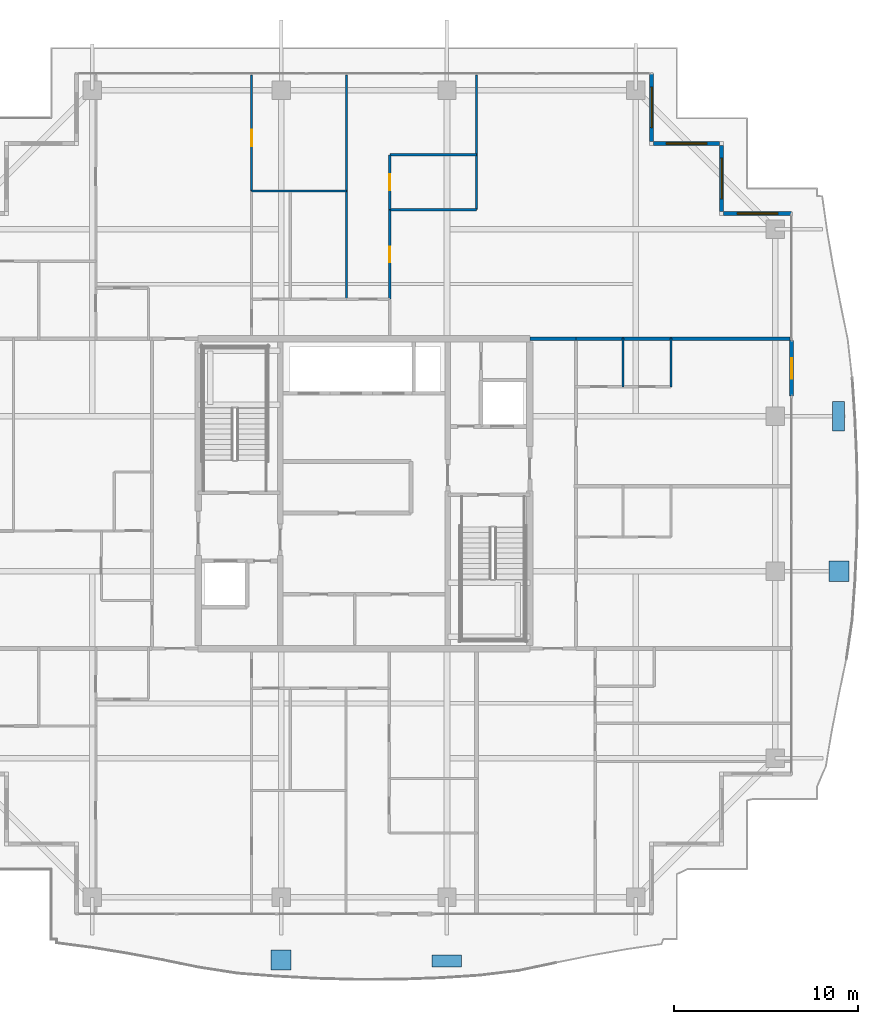
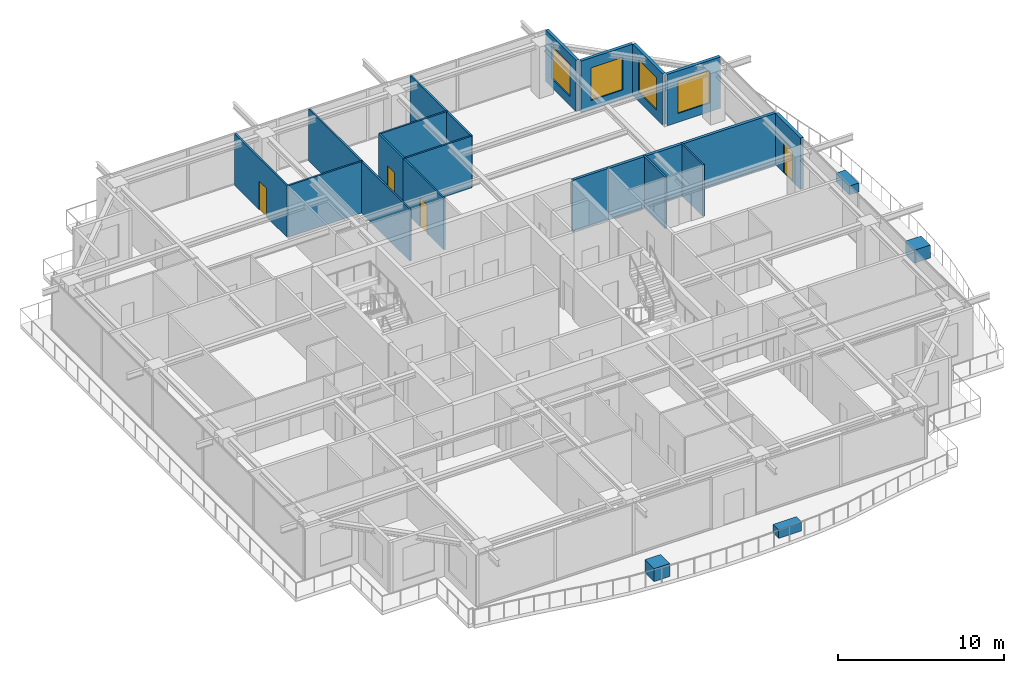
# One storey, part 35 of 42: 17 walls, 4 discrete accessories, 4 doors, 4 windows, 8 openings.
"""IFC4 building model written with IfcOpenShell, lengths in metres."""

from ifc_helpers import new_model, si_unit, direction, frame, frame_2d, origin, origin_2d, place, context, subcontext, project, spatial, rectangle, extrude, source, transform, mapped, material, layer, layer_set, type_object, element, fill, save


model = new_model("IFC4")

# Units and contexts
model_context = context("Model", 3, precision=1e-05, world=origin(), true_north=direction((0.0, 1.0)))
body_context = subcontext(model_context, "Body", "Model", "MODEL_VIEW")
ifc_project = project(units=[si_unit("LENGTHUNIT", "METRE"), si_unit("AREAUNIT", "SQUARE_METRE"), si_unit("VOLUMEUNIT", "CUBIC_METRE"), si_unit("PLANEANGLEUNIT", "RADIAN"), si_unit("MASSUNIT", "GRAM", prefix="KILO")], contexts=[model_context])

# Site, building, storey
site_placement = place(None, origin())
site = spatial("IfcSite", under=ifc_project, at=site_placement, CompositionType="ELEMENT")
building_placement = place(site_placement, origin())
building = spatial("IfcBuilding", under=site, at=building_placement, Name="Serunith Strait Residences", CompositionType="ELEMENT")
storey_placement = place(building_placement, frame((0.0, 0.0, 309.64990234375)))
storey = spatial("IfcBuildingStorey", under=building, at=storey_placement, Name="L77", CompositionType="ELEMENT", Elevation=309.64990234375)

# Wall, opening, door
ifc_material_1 = material(Name="Pale-Champagne Aluminium Insulated Panel", Category="aluminium")
ifc_layer_1 = layer(ifc_material_1, 0.219970703125, Name="Pale-Champagne Aluminium Insulated Panel")
ifc_layer_set_1 = layer_set([ifc_layer_1], Name="Pale-Champagne Aluminium Insulated Panel")
wall_type_1 = type_object("IfcWallType", Name="EW-ALUM-220", PredefinedType="ELEMENTEDWALL", material=ifc_layer_set_1)
wall_1_placement = place(storey_placement, frame((55.60009765625, 30.5, 0.0), z_axis=(0.0, 0.0, 1.0), x_axis=(0.0, 1.0, 0.0)))
wall_1 = element("IfcWall", 1, at=wall_1_placement, inside=storey, type_object=wall_type_1, Name="L77 E Facade Pier Wall", PredefinedType="ELEMENTEDWALL", context=body_context, shape_type="SweptSolid", body=[
    extrude(rectangle(XDim=3.0, YDim=0.219970703125, at=frame_2d((1.5, 0.0))), origin(), (0.0, 0.0, 1.0), 3.775146484375),
])
opening_1_placement = place(wall_1_placement, frame((0.949951171875, 0.0, 0.0)))
opening_1 = element("IfcOpeningElement", 2, at=opening_1_placement, cuts=wall_1, Name="Opening ED-03", PredefinedType="OPENING", context=body_context, shape_type="SweptSolid", body=[
    extrude(rectangle(XDim=1.10009765625, YDim=2.199951171875, at=frame_2d((0.550048828125, 1.10009765625))), frame((0.0, 0.1201171875, 0.0), z_axis=(0.0, -1.0, 0.0), x_axis=(1.0, 0.0, 0.0)), (0.0, 0.0, 1.0), 0.239990234375),
])
ifc_material_2 = material(Name="Thermally-Broken Aluminium Glazed Balcony Door", Category="aluminium")
door_type_1 = type_object("IfcDoorType", Name="ED-BALC-1100", OperationType="NOTDEFINED", PredefinedType="DOOR", material=ifc_material_2)
shared_shape_1 = source(origin(), body_context, "Body", "SweptSolid", [
    extrude(rectangle(XDim=1.10009765625, YDim=2.199951171875, at=frame_2d((0.550048828125, 1.10009765625))), frame((0.0, 0.02490234375, 0.0), z_axis=(0.0, -1.0, 0.0), x_axis=(1.0, 0.0, 0.0)), (0.0, 0.0, 1.0), 0.050048828125),
])
door_1_placement = place(opening_1_placement, origin())
door_1 = element("IfcDoor", 3, at=door_1_placement, inside=storey, type_object=door_type_1, Name="L77 E Vertical-Forest Balcony Door", OperationType="SINGLE_SWING_RIGHT", OverallHeight=2.199951171875, OverallWidth=1.10009765625, PredefinedType="DOOR", context=body_context, shape_type="MappedRepresentation", body=[
    mapped(shared_shape_1, transform((0.0, 0.0, 0.0), scale=1.0)),
])
fill(opening_1, door_1)

# Wall, opening, window
wall_2_placement = place(storey_placement, frame((55.60009765625, 40.39990234375, 0.0), z_axis=(0.0, 0.0, 1.0), x_axis=(-1.0, 0.0, 0.0)))
wall_2 = element("IfcWall", 4, at=wall_2_placement, inside=storey, type_object=wall_type_1, Name="L77 Girih Serrated Corner Wall 07", PredefinedType="ELEMENTEDWALL", context=body_context, shape_type="SweptSolid", body=[
    extrude(rectangle(XDim=3.690185546875, YDim=0.219970703125, at=frame_2d((1.84521484375, 0.0))), origin(), (0.0, 0.0, 1.0), 3.775146484375),
])
opening_2_placement = place(wall_2_placement, frame((0.7451171875, 0.0, 0.64990234375)))
opening_2 = element("IfcOpeningElement", 5, at=opening_2_placement, cuts=wall_2, Name="Opening W-06", PredefinedType="OPENING", context=body_context, shape_type="SweptSolid", body=[
    extrude(rectangle(XDim=2.199951171875, YDim=2.39990234375, at=frame_2d((1.10009765625, 1.199951171875))), frame((0.0, 0.1201171875, 0.0), z_axis=(0.0, -1.0, 0.0), x_axis=(1.0, 0.0, 0.0)), (0.0, 0.0, 1.0), 0.239990234375),
])
ifc_material_3 = material(Name="Crown Penthouse Low-E Operable Window Glass", Category="glass")
window_type = type_object("IfcWindowType", Name="WIN-C6", PartitioningType="TRIPLE_PANEL_VERTICAL", PredefinedType="WINDOW", material=ifc_material_3)
shared_shape_2 = source(origin(), body_context, "Body", "SweptSolid", [
    extrude(rectangle(XDim=2.199951171875, YDim=2.39990234375, at=frame_2d((1.10009765625, 1.199951171875))), frame((0.0, 0.030029296875, 0.0), z_axis=(0.0, -1.0, 0.0), x_axis=(1.0, 0.0, 0.0)), (0.0, 0.0, 1.0), 0.06005859375),
])
window_1_placement = place(opening_2_placement, origin())
window_1 = element("IfcWindow", 6, at=window_1_placement, inside=storey, type_object=window_type, Name="L77 Corner Operable Fritted Window 07", OverallHeight=2.39990234375, OverallWidth=2.199951171875, PartitioningType="SINGLE_PANEL", PredefinedType="WINDOW", context=body_context, shape_type="MappedRepresentation", body=[
    mapped(shared_shape_2, transform((0.0, 0.0, 0.0), scale=1.0)),
])
fill(opening_2, window_1)

wall_3_placement = place(storey_placement, frame((51.800048828125, 40.510009765625, 0.0), z_axis=(0.0, 0.0, 1.0), x_axis=(0.0, 1.0, 0.0)))
wall_3 = element("IfcWall", 7, at=wall_3_placement, inside=storey, type_object=wall_type_1, Name="L77 Girih Serrated Corner Wall 08", PredefinedType="ELEMENTEDWALL", context=body_context, shape_type="SweptSolid", body=[
    extrude(rectangle(XDim=3.580078125, YDim=0.219970703125, at=frame_2d((1.7900390625, 0.0))), origin(), (0.0, 0.0, 1.0), 3.775146484375),
])
opening_3_placement = place(wall_3_placement, frame((0.68994140625, 0.0, 0.64990234375)))
opening_3 = element("IfcOpeningElement", 8, at=opening_3_placement, cuts=wall_3, Name="Opening W-06", PredefinedType="OPENING", context=body_context, shape_type="SweptSolid", body=[
    extrude(rectangle(XDim=2.199951171875, YDim=2.39990234375, at=frame_2d((1.10009765625, 1.199951171875))), frame((0.0, 0.1201171875, 0.0), z_axis=(0.0, -1.0, 0.0), x_axis=(1.0, 0.0, 0.0)), (0.0, 0.0, 1.0), 0.239990234375),
])
window_2_placement = place(opening_3_placement, origin())
window_2 = element("IfcWindow", 9, at=window_2_placement, inside=storey, type_object=window_type, Name="L77 Corner Operable Fritted Window 08", OverallHeight=2.39990234375, OverallWidth=2.199951171875, PartitioningType="SINGLE_PANEL", PredefinedType="WINDOW", context=body_context, shape_type="MappedRepresentation", body=[
    mapped(shared_shape_2, transform((0.0, 0.0, 0.0), scale=1.0)),
])
fill(opening_3, window_2)

wall_4_placement = place(storey_placement, frame((51.68994140625, 44.199951171875, 0.0), z_axis=(0.0, 0.0, 1.0), x_axis=(-1.0, 0.0, 0.0)))
wall_4 = element("IfcWall", 10, at=wall_4_placement, inside=storey, type_object=wall_type_1, Name="L77 Girih Serrated Corner Wall 09", PredefinedType="ELEMENTEDWALL", context=body_context, shape_type="SweptSolid", body=[
    extrude(rectangle(XDim=3.579833984375, YDim=0.219970703125, at=frame_2d((1.7900390625, 0.0))), origin(), (0.0, 0.0, 1.0), 3.775146484375),
])
opening_4_placement = place(wall_4_placement, frame((0.68994140625, 0.0, 0.64990234375)))
opening_4 = element("IfcOpeningElement", 11, at=opening_4_placement, cuts=wall_4, Name="Opening W-06", PredefinedType="OPENING", context=body_context, shape_type="SweptSolid", body=[
    extrude(rectangle(XDim=2.199951171875, YDim=2.39990234375, at=frame_2d((1.10009765625, 1.199951171875))), frame((0.0, 0.1201171875, 0.0), z_axis=(0.0, -1.0, 0.0), x_axis=(1.0, 0.0, 0.0)), (0.0, 0.0, 1.0), 0.239990234375),
])
window_3_placement = place(opening_4_placement, origin())
window_3 = element("IfcWindow", 12, at=window_3_placement, inside=storey, type_object=window_type, Name="L77 Corner Operable Fritted Window 09", OverallHeight=2.39990234375, OverallWidth=2.199951171875, PartitioningType="SINGLE_PANEL", PredefinedType="WINDOW", context=body_context, shape_type="MappedRepresentation", body=[
    mapped(shared_shape_2, transform((0.0, 0.0, 0.0), scale=1.0)),
])
fill(opening_4, window_3)

wall_5_placement = place(storey_placement, frame((48.0, 44.31005859375, 0.0), z_axis=(0.0, 0.0, 1.0), x_axis=(0.0, 1.0, 0.0)))
wall_5 = element("IfcWall", 13, at=wall_5_placement, inside=storey, type_object=wall_type_1, Name="L77 Girih Serrated Corner Wall 10", PredefinedType="ELEMENTEDWALL", context=body_context, shape_type="SweptSolid", body=[
    extrude(rectangle(XDim=3.68994140625, YDim=0.219970703125, at=frame_2d((1.844970703125, 0.0))), origin(), (0.0, 0.0, 1.0), 3.775146484375),
])
opening_5_placement = place(wall_5_placement, frame((0.7451171875, 0.0, 0.64990234375)))
opening_5 = element("IfcOpeningElement", 14, at=opening_5_placement, cuts=wall_5, Name="Opening W-06", PredefinedType="OPENING", context=body_context, shape_type="SweptSolid", body=[
    extrude(rectangle(XDim=2.199951171875, YDim=2.39990234375, at=frame_2d((1.10009765625, 1.199951171875))), frame((0.0, 0.1201171875, 0.0), z_axis=(0.0, -1.0, 0.0), x_axis=(1.0, 0.0, 0.0)), (0.0, 0.0, 1.0), 0.239990234375),
])
window_4_placement = place(opening_5_placement, origin())
window_4 = element("IfcWindow", 15, at=window_4_placement, inside=storey, type_object=window_type, Name="L77 Corner Operable Fritted Window 10", OverallHeight=2.39990234375, OverallWidth=2.199951171875, PartitioningType="SINGLE_PANEL", PredefinedType="WINDOW", context=body_context, shape_type="MappedRepresentation", body=[
    mapped(shared_shape_2, transform((0.0, 0.0, 0.0), scale=1.0)),
])
fill(opening_5, window_4)

# Wall
ifc_material_4 = material(Name="Fire-rated acoustic gypsum partition")
ifc_layer_2 = layer(ifc_material_4, 0.179931640625, Name="Fire-rated acoustic gypsum partition")
ifc_layer_set_2 = layer_set([ifc_layer_2], Name="Fire-rated acoustic gypsum partition")
wall_type_2 = type_object("IfcWallType", Name="IW-CORR-180", PredefinedType="PARTITIONING", material=ifc_layer_set_2)
wall_6_placement = place(storey_placement, frame((41.402099609375, 33.60009765625, 0.0), z_axis=(0.0, 0.0, 1.0), x_axis=(1.0, 0.0, 0.0)))
element("IfcWall", 16, at=wall_6_placement, inside=storey, type_object=wall_type_2, Name="L77 Partition Wall 028", PredefinedType="PARTITIONING", context=body_context, shape_type="SweptSolid", body=[
    extrude(rectangle(XDim=2.495849609375, YDim=0.179931640625, at=frame_2d((1.248046875, 0.0))), origin(), (0.0, 0.0, 1.0), 3.7900390625),
])

# Wall, opening, door
ifc_material_5 = material(Name="Lightweight steel-stud gypsum partition", Category="steel")
ifc_layer_3 = layer(ifc_material_5, 0.1201171875, Name="Lightweight steel-stud gypsum partition")
ifc_layer_set_3 = layer_set([ifc_layer_3], Name="Lightweight steel-stud gypsum partition")
wall_type_3 = type_object("IfcWallType", Name="IW-PART-120", PredefinedType="PARTITIONING", material=ifc_layer_set_3)
wall_7_placement = place(storey_placement, frame((26.300048828125, 47.905029296875, 0.0), z_axis=(0.0, 0.0, 1.0), x_axis=(0.0, -1.0, 0.0)))
wall_7 = element("IfcWall", 17, at=wall_7_placement, inside=storey, type_object=wall_type_3, Name="L77 Partition Wall 067", PredefinedType="PARTITIONING", context=body_context, shape_type="SweptSolid", body=[
    extrude(rectangle(XDim=6.275146484375, YDim=0.1201171875, at=frame_2d((3.1376953125, 0.0))), origin(), (0.0, 0.0, 1.0), 3.7900390625),
])
opening_6_placement = place(wall_7_placement, frame((2.9560546875, 0.0, 0.0)))
opening_6 = element("IfcOpeningElement", 18, at=opening_6_placement, cuts=wall_7, Name="Opening D-RM900", PredefinedType="OPENING", context=body_context, shape_type="SweptSolid", body=[
    extrude(rectangle(XDim=0.89990234375, YDim=2.10009765625, at=frame_2d((0.449951171875, 1.050048828125))), frame((0.0, 0.070068359375, 0.0), z_axis=(0.0, -1.0, 0.0), x_axis=(1.0, 0.0, 0.0)), (0.0, 0.0, 1.0), 0.14013671875),
])
ifc_material_6 = material(Name="Engineered timber flush bedroom door", Category="wood")
door_type_2 = type_object("IfcDoorType", Name="ID-ROOM-900", OperationType="NOTDEFINED", PredefinedType="DOOR", material=ifc_material_6)
shared_shape_3 = source(origin(), body_context, "Body", "SweptSolid", [
    extrude(rectangle(XDim=0.89990234375, YDim=2.10009765625, at=frame_2d((0.449951171875, 1.050048828125))), frame((0.0, 0.02490234375, 0.0), z_axis=(0.0, -1.0, 0.0), x_axis=(1.0, 0.0, 0.0)), (0.0, 0.0, 1.0), 0.050048828125),
])
door_2_placement = place(opening_6_placement, origin())
door_2 = element("IfcDoor", 19, at=door_2_placement, inside=storey, type_object=door_type_2, Name="L77 Formal Dining Room 2 7703 Door", OperationType="SINGLE_SWING_RIGHT", OverallHeight=2.10009765625, OverallWidth=0.89990234375, PredefinedType="DOOR", context=body_context, shape_type="MappedRepresentation", body=[
    mapped(shared_shape_3, transform((0.0, 0.0, 0.0), scale=1.0)),
])
fill(opening_6, door_2)

# Walls
wall_8_placement = place(storey_placement, frame((26.300048828125, 41.6298828125, 0.0), z_axis=(0.0, 0.0, 1.0), x_axis=(1.0, 0.0, 0.0)))
element("IfcWall", 20, at=wall_8_placement, inside=storey, type_object=wall_type_3, Name="L77 Partition Wall 069", PredefinedType="PARTITIONING", context=body_context, shape_type="SweptSolid", body=[
    extrude(rectangle(XDim=5.14990234375, YDim=0.1201171875, at=frame_2d((2.574951171875, 0.0))), origin(), (0.0, 0.0, 1.0), 3.7900390625),
])
wall_9_placement = place(storey_placement, frame((31.449951171875, 47.905029296875, 0.0), z_axis=(0.0, 0.0, 1.0), x_axis=(0.0, -1.0, 0.0)))
element("IfcWall", 21, at=wall_9_placement, inside=storey, type_object=wall_type_3, Name="L77 Partition Wall 070", PredefinedType="PARTITIONING", context=body_context, shape_type="SweptSolid", body=[
    extrude(rectangle(XDim=12.155029296875, YDim=0.1201171875, at=frame_2d((6.07763671875, 0.0))), origin(), (0.0, 0.0, 1.0), 3.7900390625),
])
wall_10_placement = place(storey_placement, frame((33.800048828125, 43.587890625, 0.0), z_axis=(0.0, 0.0, 1.0), x_axis=(1.0, 0.0, 0.0)))
element("IfcWall", 22, at=wall_10_placement, inside=storey, type_object=wall_type_3, Name="L77 Partition Wall 075", PredefinedType="PARTITIONING", context=body_context, shape_type="SweptSolid", body=[
    extrude(rectangle(XDim=4.699951171875, YDim=0.1201171875, at=frame_2d((2.35009765625, 0.0))), origin(), (0.0, 0.0, 1.0), 3.7900390625),
])
wall_11_placement = place(storey_placement, frame((38.5, 47.905029296875, 0.0), z_axis=(0.0, 0.0, 1.0), x_axis=(0.0, -1.0, 0.0)))
element("IfcWall", 23, at=wall_11_placement, inside=storey, type_object=wall_type_3, Name="L77 Partition Wall 076", PredefinedType="PARTITIONING", context=body_context, shape_type="SweptSolid", body=[
    extrude(rectangle(XDim=7.296142578125, YDim=0.1201171875, at=frame_2d((3.64794921875, 0.0))), origin(), (0.0, 0.0, 1.0), 3.7900390625),
])
wall_12_placement = place(storey_placement, frame((33.800048828125, 40.60888671875, 0.0), z_axis=(0.0, 0.0, 1.0), x_axis=(1.0, 0.0, 0.0)))
element("IfcWall", 24, at=wall_12_placement, inside=storey, type_object=wall_type_3, Name="L77 Partition Wall 077", PredefinedType="PARTITIONING", context=body_context, shape_type="SweptSolid", body=[
    extrude(rectangle(XDim=4.699951171875, YDim=0.1201171875, at=frame_2d((2.35009765625, 0.0))), origin(), (0.0, 0.0, 1.0), 3.7900390625),
])

# Wall, opening, door
wall_13_placement = place(storey_placement, frame((33.800048828125, 43.587890625, 0.0), z_axis=(0.0, 0.0, 1.0), x_axis=(0.0, -1.0, 0.0)))
wall_13 = element("IfcWall", 25, at=wall_13_placement, inside=storey, type_object=wall_type_3, Name="L77 Partition Wall 078", PredefinedType="PARTITIONING", context=body_context, shape_type="SweptSolid", body=[
    extrude(rectangle(XDim=2.97900390625, YDim=0.1201171875, at=frame_2d((1.489501953125, 0.0))), origin(), (0.0, 0.0, 1.0), 3.7900390625),
])
opening_7_placement = place(wall_13_placement, frame((1.06396484375, 0.0, 0.0)))
opening_7 = element("IfcOpeningElement", 26, at=opening_7_placement, cuts=wall_13, Name="Opening D-BTH850", PredefinedType="OPENING", context=body_context, shape_type="SweptSolid", body=[
    extrude(rectangle(XDim=0.85009765625, YDim=2.10009765625, at=frame_2d((0.425048828125, 1.050048828125))), frame((0.0, 0.070068359375, 0.0), z_axis=(0.0, -1.0, 0.0), x_axis=(1.0, 0.0, 0.0)), (0.0, 0.0, 1.0), 0.14013671875),
])
ifc_material_7 = material(Name="Moisture-resistant timber bathroom door", Category="wood")
door_type_3 = type_object("IfcDoorType", Name="ID-BATH-850", OperationType="NOTDEFINED", PredefinedType="DOOR", material=ifc_material_7)
shared_shape_4 = source(origin(), body_context, "Body", "SweptSolid", [
    extrude(rectangle(XDim=0.85009765625, YDim=2.10009765625, at=frame_2d((0.425048828125, 1.050048828125))), frame((0.0, 0.02490234375, 0.0), z_axis=(0.0, -1.0, 0.0), x_axis=(1.0, 0.0, 0.0)), (0.0, 0.0, 1.0), 0.050048828125),
])
door_3_placement = place(opening_7_placement, origin())
door_3 = element("IfcDoor", 27, at=door_3_placement, inside=storey, type_object=door_type_3, Name="L77 En-suite Bathroom E 7703 Door", OperationType="SINGLE_SWING_RIGHT", OverallHeight=2.10009765625, OverallWidth=0.85009765625, PredefinedType="DOOR", context=body_context, shape_type="MappedRepresentation", body=[
    mapped(shared_shape_4, transform((0.0, 0.0, 0.0), scale=1.0)),
])
fill(opening_7, door_3)

wall_14_placement = place(storey_placement, frame((33.800048828125, 40.60693359375, 0.0), z_axis=(0.0, 0.0, 1.0), x_axis=(0.0, -1.0, 0.0)))
wall_14 = element("IfcWall", 28, at=wall_14_placement, inside=storey, type_object=wall_type_3, Name="L77 Partition Wall 079", PredefinedType="PARTITIONING", context=body_context, shape_type="SweptSolid", body=[
    extrude(rectangle(XDim=4.85693359375, YDim=0.1201171875, at=frame_2d((2.428466796875, 0.0))), origin(), (0.0, 0.0, 1.0), 3.7900390625),
])
opening_8_placement = place(wall_14_placement, frame((2.0029296875, 0.0, 0.0)))
opening_8 = element("IfcOpeningElement", 29, at=opening_8_placement, cuts=wall_14, Name="Opening D-RM850", PredefinedType="OPENING", context=body_context, shape_type="SweptSolid", body=[
    extrude(rectangle(XDim=0.85009765625, YDim=2.10009765625, at=frame_2d((0.425048828125, 1.050048828125))), frame((0.0, 0.070068359375, 0.0), z_axis=(0.0, -1.0, 0.0), x_axis=(1.0, 0.0, 0.0)), (0.0, 0.0, 1.0), 0.14013671875),
])
ifc_material_8 = material(Name="Engineered timber flush study and kitchen door", Category="wood")
door_type_4 = type_object("IfcDoorType", Name="ID-ROOM-850", OperationType="NOTDEFINED", PredefinedType="DOOR", material=ifc_material_8)
door_4_placement = place(opening_8_placement, origin())
door_4 = element("IfcDoor", 30, at=door_4_placement, inside=storey, type_object=door_type_4, Name="L77 Wardrobe E 7703 Door", OperationType="SINGLE_SWING_LEFT", OverallHeight=2.10009765625, OverallWidth=0.85009765625, PredefinedType="DOOR", context=body_context, shape_type="MappedRepresentation", body=[
    mapped(shared_shape_4, transform((0.0, 0.0, 0.0), scale=1.0)),
])
fill(opening_8, door_4)

# Walls
for number, where, z_axis, x_axis, name in (
    (31, (46.449951171875, 31.0, 0.0), (0.0, 0.0, 1.0), (0.0, 1.0, 0.0), "L77 Partition Wall 095"),
    (32, (49.050048828125, 31.0, 0.0), (0.0, 0.0, 1.0), (0.0, 1.0, 0.0), "L77 Partition Wall 096"),
):
    element("IfcWall", number, at=place(storey_placement, frame(where, z_axis=z_axis, x_axis=x_axis)), inside=storey, type_object=wall_type_3, Name=name, PredefinedType="PARTITIONING", context=body_context, shape_type="SweptSolid", body=[
        extrude(rectangle(XDim=2.659912109375, YDim=0.1201171875, at=frame_2d((1.330078125, 0.0))), origin(), (0.0, 0.0, 1.0), 3.7900390625),
    ])
ifc_material_9 = material(Name="Twin-stud acoustic gypsum board partition")
ifc_layer_4 = layer(ifc_material_9, 0.199951171875, Name="Twin-stud acoustic gypsum board partition")
ifc_layer_set_4 = layer_set([ifc_layer_4], Name="Twin-stud acoustic gypsum board partition")
wall_type_4 = type_object("IfcWallType", Name="IW-PARTY-200", PredefinedType="PARTITIONING", material=ifc_layer_set_4)
wall_15_placement = place(storey_placement, frame((43.89990234375, 33.60009765625, 0.0), z_axis=(0.0, 0.0, 1.0), x_axis=(1.0, 0.0, 0.0)))
element("IfcWall", 33, at=wall_15_placement, inside=storey, type_object=wall_type_4, Name="L77 Partition Wall 023", PredefinedType="PARTITIONING", context=body_context, shape_type="SweptSolid", body=[
    extrude(rectangle(XDim=11.6181640625, YDim=0.199951171875, at=frame_2d((5.80908203125, 0.0))), origin(), (0.0, 0.0, 1.0), 3.7900390625),
])

# Discrete accessories
ifc_material_10 = material(Name="GFRC Root-Anchored Structural Planter")
discrete_accessory_type_1 = type_object("IfcDiscreteAccessoryType", Name="ACC-PLANTER-TREE", PredefinedType="USERDEFINED", material=ifc_material_10)
shared_shape_5 = source(origin(), body_context, "Body", "SweptSolid", [
    extrude(rectangle(XDim=1.10009765625, YDim=1.10009765625, at=origin_2d()), origin(), (0.0, 0.0, 1.0), 0.949951171875),
])
for number, where, z_axis, x_axis, name in (
    (34, (27.89990234375, -0.09521484375, -0.0498046875), (0.0, 0.0, 1.0), (1.0, 0.0, 0.0), "L77 Vertical-Forest Tree Planter 02"),
    (35, (58.16259765625, 21.0, -0.0498046875), (0.0, 0.0, 1.0), (0.0, 1.0, 0.0), "L77 Vertical-Forest Tree Planter 10"),
):
    element("IfcDiscreteAccessory", number, at=place(storey_placement, frame(where, z_axis=z_axis, x_axis=x_axis)), inside=storey, type_object=discrete_accessory_type_1, Name=name, ObjectType="PLANTER", PredefinedType="USERDEFINED", context=body_context, shape_type="MappedRepresentation", body=[
        mapped(shared_shape_5, transform((0.0, 0.0, 0.0), scale=1.0)),
    ])
ifc_material_11 = material(Name="GFRC Irrigated Shrub Trough Planter")
discrete_accessory_type_2 = type_object("IfcDiscreteAccessoryType", Name="ACC-PLANTER-SHRUB", PredefinedType="USERDEFINED", material=ifc_material_11)
shared_shape_6 = source(origin(), body_context, "Body", "SweptSolid", [
    extrude(rectangle(XDim=1.60009765625, YDim=0.64990234375, at=origin_2d()), origin(), (0.0, 0.0, 1.0), 0.64990234375),
])
for number, where, z_axis, x_axis, name in (
    (36, (36.89990234375, -0.144287109375, -0.0498046875), (0.0, 0.0, 1.0), (1.0, 0.0, 0.0), "L77 Vertical-Forest Shrub Planter 03"),
    (37, (58.1318359375, 29.39990234375, -0.0498046875), (0.0, 0.0, 1.0), (0.0, 1.0, 0.0), "L77 Vertical-Forest Shrub Planter 11"),
):
    element("IfcDiscreteAccessory", number, at=place(storey_placement, frame(where, z_axis=z_axis, x_axis=x_axis)), inside=storey, type_object=discrete_accessory_type_2, Name=name, ObjectType="PLANTER", PredefinedType="USERDEFINED", context=body_context, shape_type="MappedRepresentation", body=[
        mapped(shared_shape_6, transform((0.0, 0.0, 0.0), scale=1.0)),
    ])

save(model, "model.ifc")
